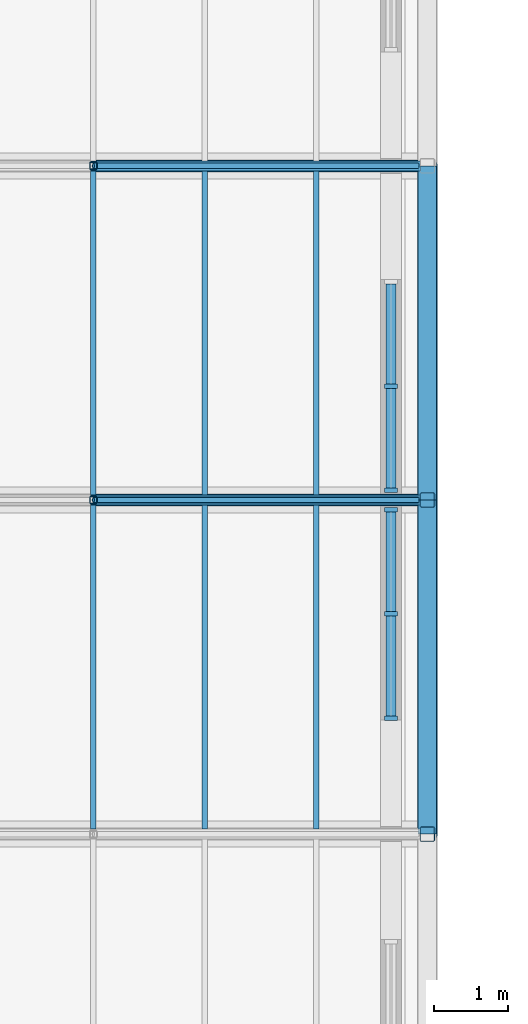
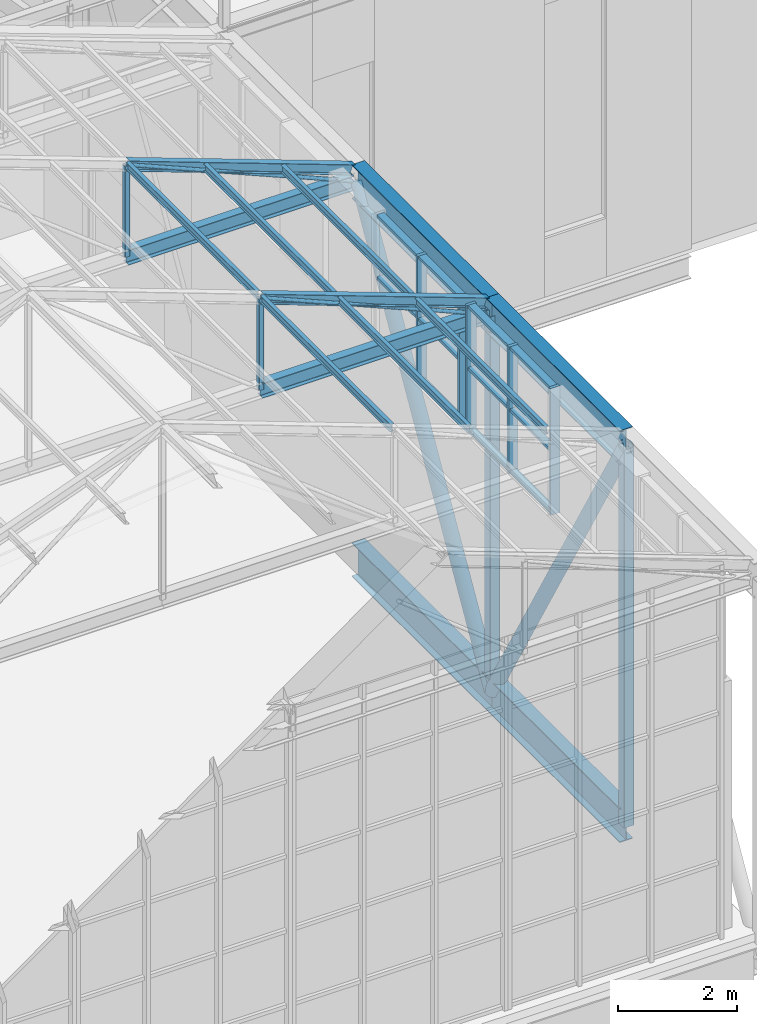
# One storey, part 22 of 90: 39 members, 2 elements without a shape of their own.
"""IFC4 building model written with IfcOpenShell, lengths in metres."""

import ifcopenshell
import ifcopenshell.guid

model = None  # the IFC model being written
_history = None  # IfcOwnerHistory: only IFC2X3 demands one
_inside = {}  # id of a spatial element -> (the spatial element, [elements in it])
_under = {}  # id of a project, library or spatial element -> (it, [spatial elements below it])
_declared = {}  # id of a project -> (the project, [libraries it declares])
_typed = {}  # id of a type object -> (the type object, [elements of that type])
_made_of = {}  # id of a material, layer set ... -> (it, [elements and type objects made of it])


def new_model(schema):
    """Start an empty IFC model of exactly this schema.

    Asked for "IFC4X3", IfcOpenShell would pick the latest addendum, in which some entities
    have other attributes; the version numbers below select the first issue.
    IFC2X3 requires an IfcOwnerHistory on every rooted entity: one is made here for all.
    """
    global model, _history
    if schema == "IFC4X3":
        model = ifcopenshell.file(schema_version=(4, 3, 0, 0))
    else:
        model = ifcopenshell.file(schema=schema)
    _inside.clear()
    _under.clear()
    _declared.clear()
    _typed.clear()
    _made_of.clear()
    _history = None
    if model.schema == "IFC2X3":
        org = make("IfcOrganization", Name="unknown")
        user = make(
            "IfcPersonAndOrganization",
            ThePerson=make("IfcPerson", FamilyName="unknown"),
            TheOrganization=org,
        )
        app = make(
            "IfcApplication",
            ApplicationDeveloper=org,
            Version="unknown",
            ApplicationFullName="unknown",
            ApplicationIdentifier="unknown",
        )
        _history = make(
            "IfcOwnerHistory",
            OwningUser=user,
            OwningApplication=app,
            ChangeAction="ADDED",
            CreationDate=0,
        )
    return model


def make(cls, **values):
    """One entity of the class cls with the attributes given. An attribute that is None is left unset."""
    return model.create_entity(
        cls, **{name: value for name, value in values.items() if value is not None}
    )


def rooted(cls, **values):
    """An entity with a GlobalId (a new one), such as an element, a storey or a relation."""
    return make(cls, GlobalId=ifcopenshell.guid.new(), OwnerHistory=_history, **values)


def si_unit(unit_type, name, prefix=None):
    """IfcSIUnit, for example si_unit("LENGTHUNIT", "METRE", prefix="MILLI")."""
    return make("IfcSIUnit", UnitType=unit_type, Prefix=prefix, Name=name)


def assignment(units):
    """IfcUnitAssignment: the units of a project."""
    return None if units is None else make("IfcUnitAssignment", Units=units)


def point(xyz):
    """IfcCartesianPoint."""
    return None if xyz is None else make("IfcCartesianPoint", Coordinates=xyz)


def direction(xyz):
    """IfcDirection."""
    return None if xyz is None else make("IfcDirection", DirectionRatios=xyz)


def frame(location, z_axis=None, x_axis=None):
    """IfcAxis2Placement3D, a coordinate frame: its origin and axes. An axis left out is left unset."""
    return make(
        "IfcAxis2Placement3D",
        Location=point(location),
        Axis=direction(z_axis),
        RefDirection=direction(x_axis),
    )


def frame_2d(location, x_axis=None):
    """IfcAxis2Placement2D, a coordinate frame in the plane: its origin and x axis."""
    return make(
        "IfcAxis2Placement2D", Location=point(location), RefDirection=direction(x_axis)
    )


def origin():
    """The frame at (0, 0, 0) with its axes left unset."""
    return frame((0.0, 0.0, 0.0))


def origin_2d():
    """The frame at (0, 0) in the plane with its x axis left unset."""
    return frame_2d((0.0, 0.0))


def place(relative_to, where):
    """IfcLocalPlacement: puts the frame where relative to a parent placement (None: the world)."""
    return make(
        "IfcLocalPlacement", PlacementRelTo=relative_to, RelativePlacement=where
    )


def context(
    kind, dimensions, precision=None, world=None, true_north=None, identifier=None
):
    """IfcGeometricRepresentationContext, for example the 3D "Model" context."""
    return make(
        "IfcGeometricRepresentationContext",
        ContextIdentifier=identifier,
        ContextType=kind,
        CoordinateSpaceDimension=dimensions,
        Precision=precision,
        WorldCoordinateSystem=world,
        TrueNorth=true_north,
    )


def subcontext(parent, identifier, kind, view, scale=None):
    """IfcGeometricRepresentationSubContext, for example "Body" below "Model"."""
    return make(
        "IfcGeometricRepresentationSubContext",
        ContextIdentifier=identifier,
        ContextType=kind,
        ParentContext=parent,
        TargetScale=scale,
        TargetView=view,
    )


def project(units=None, contexts=None):
    """IfcProject with its units and contexts."""
    return rooted(
        "IfcProject",
        Name="project",
        RepresentationContexts=contexts,
        UnitsInContext=assignment(units),
    )


def spatial(cls, under=None, at=None, **own):
    """A site, building, storey or space (cls), placed at a placement, below another one or the project."""
    s = rooted(cls, ObjectPlacement=at, **own)
    if under is not None:
        _under.setdefault(under.id(), (under, []))[1].append(s)
    return s


def profile(cls, at=None, kind="AREA", **sizes):
    """A parametric profile (cls). Its sizes go by their IFC names, for example OverallWidth=200.0."""
    return make(cls, ProfileType=kind, Position=at, **sizes)


def rectangle(**sizes):
    """IfcRectangleProfileDef."""
    return profile("IfcRectangleProfileDef", **sizes)


def hollow_rectangle(**sizes):
    """IfcRectangleHollowProfileDef."""
    return profile("IfcRectangleHollowProfileDef", **sizes)


def hollow_circle(**sizes):
    """IfcCircleHollowProfileDef."""
    return profile("IfcCircleHollowProfileDef", **sizes)


def i_section(**sizes):
    """IfcIShapeProfileDef."""
    return profile("IfcIShapeProfileDef", **sizes)


def extrude(swept, where, along, depth):
    """IfcExtrudedAreaSolid: the profile swept, set in the frame where, extruded along a direction by depth."""
    return make(
        "IfcExtrudedAreaSolid",
        SweptArea=swept,
        Position=where,
        ExtrudedDirection=direction(along),
        Depth=depth,
    )


def shape(context_of_items, identifier, shape_type, items):
    """IfcShapeRepresentation: the items that make up one representation, for example the "Body"."""
    return make(
        "IfcShapeRepresentation",
        ContextOfItems=context_of_items,
        RepresentationIdentifier=identifier,
        RepresentationType=shape_type,
        Items=items,
    )


def material(Name=None, Category=None):
    """IfcMaterial."""
    return make("IfcMaterial", Name=Name, Category=Category)


def layer(
    of_material, thickness, ventilated=None, Name=None, Category=None, Priority=None
):
    """IfcMaterialLayer: one layer of a wall or slab, of a material (None: an air gap)."""
    return make(
        "IfcMaterialLayer",
        Material=of_material,
        LayerThickness=thickness,
        IsVentilated=ventilated,
        Name=Name,
        Category=Category,
        Priority=Priority,
    )


def layer_set(layers, Name=None):
    """IfcMaterialLayerSet."""
    return make("IfcMaterialLayerSet", MaterialLayers=layers, LayerSetName=Name)


def material_profile(
    of_material, cross_section, Name=None, Category=None, Priority=None
):
    """IfcMaterialProfile: a cross section and its material."""
    return make(
        "IfcMaterialProfile",
        Name=Name,
        Material=of_material,
        Profile=cross_section,
        Priority=Priority,
        Category=Category,
    )


def profile_set(profiles, Name=None, composite=None):
    """IfcMaterialProfileSet."""
    return make(
        "IfcMaterialProfileSet",
        Name=Name,
        MaterialProfiles=profiles,
        CompositeProfile=composite,
    )


def made_of(thing, what):
    """Note that an element or type object is made of a material, layer set ...; save() writes the relation."""
    if what is not None:
        _made_of.setdefault(what.id(), (what, []))[1].append(thing)
    return thing


def type_object(cls, material=None, **own):
    """A type object (cls), such as IfcWallType, which elements share."""
    return made_of(rooted(cls, **own), material)


def element(
    cls,
    number,
    at=None,
    inside=None,
    cuts=None,
    type_object=None,
    material=None,
    context=None,
    identifier="Body",
    shape_type=None,
    held_by="IfcProductDefinitionShape",
    body=None,
    shapes=None,
    **own,
):
    """One element of the class cls, such as IfcWall. Its Tag is "e" and its number.

    at: its placement. inside: the storey or other place that contains it. cuts: it is an
    opening in that element (IfcRelVoidsElement). A single representation is given by context,
    identifier, shape_type and body (its items); several are given by shapes. held_by: the class
    of the entity that holds the representations. save() writes the other relations.
    """
    e = rooted(cls, Tag="e%d" % number, ObjectPlacement=at, **own)
    if body is not None:
        shapes = [shape(context, identifier, shape_type, body)]
    if shapes is not None:
        e.Representation = make(held_by, Representations=shapes)
    if inside is not None:
        _inside.setdefault(inside.id(), (inside, []))[1].append(e)
    if cuts is not None:
        rooted(
            "IfcRelVoidsElement", RelatingBuildingElement=cuts, RelatedOpeningElement=e
        )
    if type_object is not None:
        _typed.setdefault(type_object.id(), (type_object, []))[1].append(e)
    return made_of(e, material)


def aggregate(whole, parts):
    """IfcRelAggregates: a whole, such as a stair, and the parts it consists of."""
    return rooted("IfcRelAggregates", RelatingObject=whole, RelatedObjects=parts)


def save(model, path):
    """Write the relations noted so far, then the file.

    IfcRelAggregates (storeys below a building ...), IfcRelContainedInSpatialStructure (elements
    in a storey), IfcRelDefinesByType, IfcRelAssociatesMaterial and IfcRelDeclares: one each for
    every whole, place, type object, material and project.
    """
    for whole, parts in _under.values():
        aggregate(whole, parts)
    for where, things in _inside.values():
        rooted(
            "IfcRelContainedInSpatialStructure",
            RelatedElements=things,
            RelatingStructure=where,
        )
    for kind, things in _typed.values():
        rooted("IfcRelDefinesByType", RelatedObjects=things, RelatingType=kind)
    for what, things in _made_of.values():
        rooted("IfcRelAssociatesMaterial", RelatedObjects=things, RelatingMaterial=what)
    for by, libraries in _declared.values():
        rooted("IfcRelDeclares", RelatingContext=by, RelatedDefinitions=libraries)
    model.write(path)


model = new_model("IFC4")

# Units and contexts
model_context = context("Model", 3, precision=1e-05, world=origin(), true_north=direction((0.0, 1.0)))
body_context = subcontext(model_context, "Body", "Model", "MODEL_VIEW")
ifc_project = project(units=[si_unit("LENGTHUNIT", "METRE"), si_unit("AREAUNIT", "SQUARE_METRE"), si_unit("VOLUMEUNIT", "CUBIC_METRE"), si_unit("PLANEANGLEUNIT", "RADIAN"), si_unit("MASSUNIT", "GRAM", prefix="KILO")], contexts=[model_context])

# Site, building, storey
site_placement = place(None, origin())
site = spatial("IfcSite", under=ifc_project, at=site_placement, CompositionType="ELEMENT")
building_placement = place(site_placement, origin())
building = spatial("IfcBuilding", under=site, at=building_placement, Name="Halyard Row Museum", CompositionType="ELEMENT")
storey_placement = place(building_placement, frame((0.0, 0.0, 13.39990234375)))
storey = spatial("IfcBuildingStorey", under=building, at=storey_placement, Name="L03", CompositionType="ELEMENT", Elevation=13.39990234375)

# Curtain wall, members
ifc_material_1 = material(Name="Double glazed unit, low-emissivity", Category="glass")
ifc_layer = layer(ifc_material_1, 0.179931640625)
ifc_layer_set = layer_set([ifc_layer], Name="Double glazed unit, low-emissivity")
curtain_wall_type = type_object("IfcCurtainWallType", Name="Curtain wall stick 180 deep", PredefinedType="NOTDEFINED", material=ifc_layer_set)
curtain_wall_1_placement = place(storey_placement, origin())
curtain_wall_1 = element("IfcCurtainWall", 1, at=curtain_wall_1_placement, inside=storey, type_object=curtain_wall_type, Name="Curtain wall CW072", PredefinedType="NOTDEFINED")
ifc_material_2 = material(Name="Powder-coated aluminium section", Category="aluminium")
ifc_material_profile_1 = material_profile(ifc_material_2, rectangle(XDim=0.179931640625, YDim=0.06005859375, at=origin_2d()), Name="180x60 mullion")
ifc_profile_set_1 = profile_set([ifc_material_profile_1], Name="Powder-coated aluminium section")
member_type_1 = type_object("IfcMemberType", Name="Curtain wall mullion CM2 60 x 180", PredefinedType="MULLION", material=ifc_profile_set_1)
member_1_placement = place(storey_placement, frame((53.510009765625, 6.063232421875, 5.07275390625), z_axis=(0.0, 0.0, 1.0), x_axis=(-1.0, 0.0, 0.0)))
member_1 = element("IfcMember", 2, at=member_1_placement, type_object=member_type_1, Name="CW072 mullion 1", PredefinedType="MULLION", context=body_context, shape_type="SweptSolid", body=[
    extrude(rectangle(XDim=0.179931640625, YDim=0.06005859375, at=origin_2d()), origin(), (0.0, 0.0, 1.0), 2.60009765625),
])
member_2_placement = place(storey_placement, frame((53.510009765625, 7.466552734375, 5.07275390625), z_axis=(0.0, 0.0, 1.0), x_axis=(-1.0, 0.0, 0.0)))
member_2 = element("IfcMember", 3, at=member_2_placement, type_object=member_type_1, Name="CW072 mullion 2", PredefinedType="MULLION", context=body_context, shape_type="SweptSolid", body=[
    extrude(rectangle(XDim=0.179931640625, YDim=0.06005859375, at=origin_2d()), origin(), (0.0, 0.0, 1.0), 2.60009765625),
])
member_3_placement = place(storey_placement, frame((53.510009765625, 8.8701171875, 5.07275390625), z_axis=(0.0, 0.0, 1.0), x_axis=(-1.0, 0.0, 0.0)))
member_3 = element("IfcMember", 4, at=member_3_placement, type_object=member_type_1, Name="CW072 mullion 3", PredefinedType="MULLION", context=body_context, shape_type="SweptSolid", body=[
    extrude(rectangle(XDim=0.179931640625, YDim=0.06005859375, at=origin_2d()), origin(), (0.0, 0.0, 1.0), 2.60009765625),
])

curtain_wall_2_placement = place(storey_placement, origin())
curtain_wall_2 = element("IfcCurtainWall", 5, at=curtain_wall_2_placement, inside=storey, type_object=curtain_wall_type, Name="Curtain wall CW073", PredefinedType="NOTDEFINED")
member_4_placement = place(storey_placement, frame((53.510009765625, 9.1298828125, 5.07275390625), z_axis=(0.0, 0.0, 1.0), x_axis=(-1.0, 0.0, 0.0)))
member_4 = element("IfcMember", 6, at=member_4_placement, type_object=member_type_1, Name="CW073 mullion 1", PredefinedType="MULLION", context=body_context, shape_type="SweptSolid", body=[
    extrude(rectangle(XDim=0.179931640625, YDim=0.06005859375, at=origin_2d()), origin(), (0.0, 0.0, 1.0), 2.60009765625),
])
member_5_placement = place(storey_placement, frame((53.510009765625, 10.533447265625, 5.07275390625), z_axis=(0.0, 0.0, 1.0), x_axis=(-1.0, 0.0, 0.0)))
member_5 = element("IfcMember", 7, at=member_5_placement, type_object=member_type_1, Name="CW073 mullion 2", PredefinedType="MULLION", context=body_context, shape_type="SweptSolid", body=[
    extrude(rectangle(XDim=0.179931640625, YDim=0.06005859375, at=origin_2d()), origin(), (0.0, 0.0, 1.0), 2.60009765625),
])

# Member
ifc_material_3 = material(Name="Powder-coated aluminium section", Category="aluminium")
ifc_material_profile_2 = material_profile(ifc_material_3, rectangle(XDim=0.139892578125, YDim=0.06005859375, at=origin_2d()), Name="140x60 transom")
ifc_profile_set_2 = profile_set([ifc_material_profile_2], Name="Powder-coated aluminium section")
member_type_2 = type_object("IfcMemberType", Name="Curtain wall transom CT2 60 x 140", PredefinedType="USERDEFINED", material=ifc_profile_set_2)
member_6_placement = place(storey_placement, frame((53.510009765625, 6.09326171875, 5.102783203125), z_axis=(0.0, 1.0, 0.0), x_axis=(-1.0, 0.0, 0.0)))
member_6 = element("IfcMember", 8, at=member_6_placement, type_object=member_type_2, Name="CW072 transom 1.1", ObjectType="TRANSOM", PredefinedType="USERDEFINED", context=body_context, shape_type="SweptSolid", body=[
    extrude(rectangle(XDim=0.139892578125, YDim=0.06005859375, at=origin_2d()), origin(), (0.0, 0.0, 1.0), 1.343505859375),
])

member_7_placement = place(storey_placement, frame((53.510009765625, 6.09326171875, 6.372802734375), z_axis=(0.0, 1.0, 0.0), x_axis=(-1.0, 0.0, 0.0)))
member_7 = element("IfcMember", 9, at=member_7_placement, type_object=member_type_2, Name="CW072 transom 1.2", ObjectType="TRANSOM", PredefinedType="USERDEFINED", context=body_context, shape_type="SweptSolid", body=[
    extrude(rectangle(XDim=0.139892578125, YDim=0.06005859375, at=origin_2d()), origin(), (0.0, 0.0, 1.0), 1.343505859375),
])

member_8_placement = place(storey_placement, frame((53.510009765625, 6.09326171875, 7.642822265625), z_axis=(0.0, 1.0, 0.0), x_axis=(-1.0, 0.0, 0.0)))
member_8 = element("IfcMember", 10, at=member_8_placement, type_object=member_type_2, Name="CW072 transom 1.3", ObjectType="TRANSOM", PredefinedType="USERDEFINED", context=body_context, shape_type="SweptSolid", body=[
    extrude(rectangle(XDim=0.139892578125, YDim=0.06005859375, at=origin_2d()), origin(), (0.0, 0.0, 1.0), 1.343505859375),
])

member_9_placement = place(storey_placement, frame((53.510009765625, 7.49658203125, 5.102783203125), z_axis=(0.0, 1.0, 0.0), x_axis=(-1.0, 0.0, 0.0)))
member_9 = element("IfcMember", 11, at=member_9_placement, type_object=member_type_2, Name="CW072 transom 2.1", ObjectType="TRANSOM", PredefinedType="USERDEFINED", context=body_context, shape_type="SweptSolid", body=[
    extrude(rectangle(XDim=0.139892578125, YDim=0.06005859375, at=origin_2d()), origin(), (0.0, 0.0, 1.0), 1.343505859375),
])

member_10_placement = place(storey_placement, frame((53.510009765625, 7.49658203125, 6.372802734375), z_axis=(0.0, 1.0, 0.0), x_axis=(-1.0, 0.0, 0.0)))
member_10 = element("IfcMember", 12, at=member_10_placement, type_object=member_type_2, Name="CW072 transom 2.2", ObjectType="TRANSOM", PredefinedType="USERDEFINED", context=body_context, shape_type="SweptSolid", body=[
    extrude(rectangle(XDim=0.139892578125, YDim=0.06005859375, at=origin_2d()), origin(), (0.0, 0.0, 1.0), 1.343505859375),
])

member_11_placement = place(storey_placement, frame((53.510009765625, 7.49658203125, 7.642822265625), z_axis=(0.0, 1.0, 0.0), x_axis=(-1.0, 0.0, 0.0)))
member_11 = element("IfcMember", 13, at=member_11_placement, type_object=member_type_2, Name="CW072 transom 2.3", ObjectType="TRANSOM", PredefinedType="USERDEFINED", context=body_context, shape_type="SweptSolid", body=[
    extrude(rectangle(XDim=0.139892578125, YDim=0.06005859375, at=origin_2d()), origin(), (0.0, 0.0, 1.0), 1.343505859375),
])

aggregate(curtain_wall_1, [member_1, member_2, member_3, member_6, member_7, member_8, member_9, member_10, member_11])

member_12_placement = place(storey_placement, frame((53.510009765625, 9.159912109375, 5.102783203125), z_axis=(0.0, 1.0, 0.0), x_axis=(-1.0, 0.0, 0.0)))
member_12 = element("IfcMember", 14, at=member_12_placement, type_object=member_type_2, Name="CW073 transom 1.1", ObjectType="TRANSOM", PredefinedType="USERDEFINED", context=body_context, shape_type="SweptSolid", body=[
    extrude(rectangle(XDim=0.139892578125, YDim=0.06005859375, at=origin_2d()), origin(), (0.0, 0.0, 1.0), 1.343505859375),
])

member_13_placement = place(storey_placement, frame((53.510009765625, 9.159912109375, 6.372802734375), z_axis=(0.0, 1.0, 0.0), x_axis=(-1.0, 0.0, 0.0)))
member_13 = element("IfcMember", 15, at=member_13_placement, type_object=member_type_2, Name="CW073 transom 1.2", ObjectType="TRANSOM", PredefinedType="USERDEFINED", context=body_context, shape_type="SweptSolid", body=[
    extrude(rectangle(XDim=0.139892578125, YDim=0.06005859375, at=origin_2d()), origin(), (0.0, 0.0, 1.0), 1.343505859375),
])

member_14_placement = place(storey_placement, frame((53.510009765625, 9.159912109375, 7.642822265625), z_axis=(0.0, 1.0, 0.0), x_axis=(-1.0, 0.0, 0.0)))
member_14 = element("IfcMember", 16, at=member_14_placement, type_object=member_type_2, Name="CW073 transom 1.3", ObjectType="TRANSOM", PredefinedType="USERDEFINED", context=body_context, shape_type="SweptSolid", body=[
    extrude(rectangle(XDim=0.139892578125, YDim=0.06005859375, at=origin_2d()), origin(), (0.0, 0.0, 1.0), 1.343505859375),
])

member_15_placement = place(storey_placement, frame((53.510009765625, 10.563232421875, 5.102783203125), z_axis=(0.0, 1.0, 0.0), x_axis=(-1.0, 0.0, 0.0)))
member_15 = element("IfcMember", 17, at=member_15_placement, type_object=member_type_2, Name="CW073 transom 2.1", ObjectType="TRANSOM", PredefinedType="USERDEFINED", context=body_context, shape_type="SweptSolid", body=[
    extrude(rectangle(XDim=0.139892578125, YDim=0.06005859375, at=origin_2d()), origin(), (0.0, 0.0, 1.0), 1.343505859375),
])

member_16_placement = place(storey_placement, frame((53.510009765625, 10.563232421875, 6.372802734375), z_axis=(0.0, 1.0, 0.0), x_axis=(-1.0, 0.0, 0.0)))
member_16 = element("IfcMember", 18, at=member_16_placement, type_object=member_type_2, Name="CW073 transom 2.2", ObjectType="TRANSOM", PredefinedType="USERDEFINED", context=body_context, shape_type="SweptSolid", body=[
    extrude(rectangle(XDim=0.139892578125, YDim=0.06005859375, at=origin_2d()), origin(), (0.0, 0.0, 1.0), 1.343505859375),
])

member_17_placement = place(storey_placement, frame((53.510009765625, 10.563232421875, 7.642822265625), z_axis=(0.0, 1.0, 0.0), x_axis=(-1.0, 0.0, 0.0)))
member_17 = element("IfcMember", 19, at=member_17_placement, type_object=member_type_2, Name="CW073 transom 2.3", ObjectType="TRANSOM", PredefinedType="USERDEFINED", context=body_context, shape_type="SweptSolid", body=[
    extrude(rectangle(XDim=0.139892578125, YDim=0.06005859375, at=origin_2d()), origin(), (0.0, 0.0, 1.0), 1.343505859375),
])

aggregate(curtain_wall_2, [member_4, member_5, member_12, member_13, member_14, member_15, member_16, member_17])

# Members
ifc_material_4 = material(Name="Steel Grade 300", Category="steel")
ifc_material_profile_3 = material_profile(ifc_material_4, i_section(OverallWidth=0.074951171875, OverallDepth=0.155029296875, WebThickness=0.006103515625, FlangeThickness=0.009521484375, FilletRadius=0.008056640625, at=origin_2d()), Name="150UB18.0")
ifc_profile_set_3 = profile_set([ifc_material_profile_3], Name="Steel Grade 300")
member_type_3 = type_object("IfcMemberType", Name="Purlin 150UB18.0", PredefinedType="PURLIN", material=ifc_profile_set_3)
for number, where, z_axis, x_axis, name in (
    (20, (49.5, 4.56640625, 9.133544921875), (0.0, 1.0, 0.0), (-1.0, 0.0, 0.0), "V4 purlin PR3.2"),
    (21, (49.5, 9.06640625, 9.133544921875), (0.0, 1.0, 0.0), (-1.0, 0.0, 0.0), "V4 purlin PR3.3"),
    (22, (51.0, 4.56640625, 8.581787109375), (0.0, 1.0, 0.0), (-1.0, 0.0, 0.0), "V4 purlin PR2.2"),
    (23, (51.0, 9.06640625, 8.581787109375), (0.0, 1.0, 0.0), (-1.0, 0.0, 0.0), "V4 purlin PR2.3"),
    (24, (52.5, 4.56640625, 8.0302734375), (0.0, 1.0, 0.0), (-1.0, 0.0, 0.0), "V4 purlin PR1.2"),
    (25, (52.5, 9.06640625, 8.0302734375), (0.0, 1.0, 0.0), (-1.0, 0.0, 0.0), "V4 purlin PR1.3"),
):
    element("IfcMember", number, at=place(storey_placement, frame(where, z_axis=z_axis, x_axis=x_axis)), inside=storey, type_object=member_type_3, Name=name, PredefinedType="PURLIN", context=body_context, shape_type="SweptSolid", body=[
        extrude(i_section(OverallWidth=0.074951171875, OverallDepth=0.155029296875, WebThickness=0.006103515625, FlangeThickness=0.009521484375, FilletRadius=0.008056640625, at=origin_2d()), origin(), (0.0, 0.0, 1.0), 4.3671875),
    ])
ifc_material_5 = material(Name="Steel Grade C250L0", Category="steel")
ifc_material_profile_4 = material_profile(ifc_material_5, hollow_circle(Radius=0.0380859375, WallThickness=0.00439453125, at=origin_2d()), Name="76.1x4.5CHS")
ifc_profile_set_4 = profile_set([ifc_material_profile_4], Name="Steel Grade C250L0")
member_type_4 = type_object("IfcMemberType", Name="Roof truss diagonal 76.1x4.5CHS", PredefinedType="BRACE", material=ifc_profile_set_4)
for number, where, z_axis, x_axis, name in (
    (26, (53.875, 9.0, 7.2490234375), (-0.91964597722, 0.0, 0.392748362928), (0.0, -1.0, 0.0), "V4RT3 diagonal 4"),
    (27, (53.875, 13.5, 7.2490234375), (-0.91964597722, 0.0, 0.392748362928), (0.0, -1.0, 0.0), "V4RT4 diagonal 4"),
):
    element("IfcMember", number, at=place(storey_placement, frame(where, z_axis=z_axis, x_axis=x_axis)), inside=storey, type_object=member_type_4, Name=name, PredefinedType="BRACE", context=body_context, shape_type="SweptSolid", body=[
        extrude(hollow_circle(Radius=0.0380859375, WallThickness=0.00439453125, at=origin_2d()), origin(), (0.0, 0.0, 1.0), 4.75732421875),
    ])
ifc_material_6 = material(Name="Steel Grade C350L0", Category="steel")
ifc_material_profile_5 = material_profile(ifc_material_6, hollow_rectangle(XDim=0.10009765625, YDim=0.10009765625, WallThickness=0.006103515625, InnerFilletRadius=0.009033203125, OuterFilletRadius=0.014892578125, at=origin_2d()), Name="100x100x6.0SHS")
ifc_profile_set_5 = profile_set([ifc_material_profile_5], Name="Steel Grade C350L0")
member_type_5 = type_object("IfcMemberType", Name="Roof truss post 100x100x6.0SHS", PredefinedType="POST", material=ifc_profile_set_5)
for number, where, z_axis, x_axis, name in (
    (28, (49.5, 9.0, 7.2490234375), (0.0, 0.0, 1.0), (1.0, 0.0, 0.0), "V4RT3 post 3"),
    (29, (49.5, 13.5, 7.2490234375), (0.0, 0.0, 1.0), (1.0, 0.0, 0.0), "V4RT4 post 3"),
):
    element("IfcMember", number, at=place(storey_placement, frame(where, z_axis=z_axis, x_axis=x_axis)), inside=storey, type_object=member_type_5, Name=name, PredefinedType="POST", context=body_context, shape_type="SweptSolid", body=[
        extrude(hollow_rectangle(XDim=0.10009765625, YDim=0.10009765625, WallThickness=0.006103515625, InnerFilletRadius=0.009033203125, OuterFilletRadius=0.014892578125, at=origin_2d()), origin(), (0.0, 0.0, 1.0), 1.868408203125),
    ])
ifc_material_7 = material(Name="Steel Grade 300", Category="steel")
ifc_material_profile_6 = material_profile(ifc_material_7, i_section(OverallWidth=0.133056640625, OverallDepth=0.20166015625, WebThickness=0.0048828125, FlangeThickness=0.007080078125, FilletRadius=0.0087890625, at=origin_2d()), Name="200UB22.3")
ifc_profile_set_6 = profile_set([ifc_material_profile_6], Name="Steel Grade 300")
member_type_6 = type_object("IfcMemberType", Name="Roof truss rafter 200UB22.3 rafter", PredefinedType="RAFTER", material=ifc_profile_set_6)
for number, where, z_axis, x_axis, name in (
    (30, (49.5, 9.0, 9.117431640625), (0.938531649117, 0.0, -0.345193197507), (0.0, 1.0, 0.0), "V4RT3 rafter 4"),
    (31, (49.5, 13.5, 9.117431640625), (0.938531649117, 0.0, -0.345193197507), (0.0, 1.0, 0.0), "V4RT4 rafter 4"),
):
    element("IfcMember", number, at=place(storey_placement, frame(where, z_axis=z_axis, x_axis=x_axis)), inside=storey, type_object=member_type_6, Name=name, PredefinedType="RAFTER", context=body_context, shape_type="SweptSolid", body=[
        extrude(i_section(OverallWidth=0.133056640625, OverallDepth=0.20166015625, WebThickness=0.0048828125, FlangeThickness=0.007080078125, FilletRadius=0.0087890625, at=origin_2d()), origin(), (0.0, 0.0, 1.0), 4.66162109375),
    ])
ifc_material_8 = material(Name="Steel Grade 300", Category="steel")
ifc_material_profile_7 = material_profile(ifc_material_8, i_section(OverallWidth=0.1650390625, OverallDepth=0.303955078125, WebThickness=0.006103515625, FlangeThickness=0.01025390625, FilletRadius=0.011474609375, at=origin_2d()), Name="310UB40.4")
ifc_profile_set_7 = profile_set([ifc_material_profile_7], Name="Steel Grade 300")
member_type_7 = type_object("IfcMemberType", Name="Roof truss tie 310UB40.4 tie", PredefinedType="CHORD", material=ifc_profile_set_7)
for number, where, z_axis, x_axis, name in (
    (32, (49.5, 9.0, 7.2490234375), (1.0, 0.0, 0.0), (0.0, 1.0, 0.0), "V4RT3 tie 4"),
    (33, (49.5, 13.5, 7.2490234375), (1.0, 0.0, 0.0), (0.0, 1.0, 0.0), "V4RT4 tie 4"),
):
    element("IfcMember", number, at=place(storey_placement, frame(where, z_axis=z_axis, x_axis=x_axis)), inside=storey, type_object=member_type_7, Name=name, PredefinedType="CHORD", context=body_context, shape_type="SweptSolid", body=[
        extrude(i_section(OverallWidth=0.1650390625, OverallDepth=0.303955078125, WebThickness=0.006103515625, FlangeThickness=0.01025390625, FilletRadius=0.011474609375, at=origin_2d()), origin(), (0.0, 0.0, 1.0), 4.375),
    ])
ifc_material_9 = material(Name="Steel Grade 300", Category="steel")
ifc_material_profile_8 = material_profile(ifc_material_9, i_section(OverallWidth=0.25, OverallDepth=0.699951171875, WebThickness=0.010009765625, FlangeThickness=0.02001953125, at=origin_2d()), Name="700WB130")
ifc_profile_set_8 = profile_set([ifc_material_profile_8], Name="Steel Grade 300")
member_type_8 = type_object("IfcMemberType", Name="Transfer truss chord 700WB130 bottom", PredefinedType="CHORD", material=ifc_profile_set_8)
for number, where, z_axis, x_axis, name in (
    (34, (54.0, 4.5, -0.514892578125), (0.0, 1.0, 0.0), (-1.0, 0.0, 0.0), "TT2 bottom chord 2"),
    (35, (54.0, 9.0, -0.514892578125), (0.0, 1.0, 0.0), (-1.0, 0.0, 0.0), "TT2 bottom chord 3"),
):
    element("IfcMember", number, at=place(storey_placement, frame(where, z_axis=z_axis, x_axis=x_axis)), inside=storey, type_object=member_type_8, Name=name, PredefinedType="CHORD", context=body_context, shape_type="SweptSolid", body=[
        extrude(i_section(OverallWidth=0.25, OverallDepth=0.699951171875, WebThickness=0.010009765625, FlangeThickness=0.02001953125, at=origin_2d()), origin(), (0.0, 0.0, 1.0), 4.5),
    ])
ifc_material_10 = material(Name="Steel Grade 300", Category="steel")
ifc_material_profile_9 = material_profile(ifc_material_10, i_section(OverallWidth=0.25, OverallDepth=0.699951171875, WebThickness=0.010009765625, FlangeThickness=0.02001953125, at=origin_2d()), Name="700WB130")
ifc_profile_set_9 = profile_set([ifc_material_profile_9], Name="Steel Grade 300")
member_type_9 = type_object("IfcMemberType", Name="Transfer truss chord 700WB130 top", PredefinedType="CHORD", material=ifc_profile_set_9)
for number, where, z_axis, x_axis, name in (
    (36, (54.0, 4.5, 7.22998046875), (0.0, 1.0, 0.0), (-1.0, 0.0, 0.0), "TT2 top chord 2"),
    (37, (54.0, 9.0, 7.22998046875), (0.0, 1.0, 0.0), (-1.0, 0.0, 0.0), "TT2 top chord 3"),
):
    element("IfcMember", number, at=place(storey_placement, frame(where, z_axis=z_axis, x_axis=x_axis)), inside=storey, type_object=member_type_9, Name=name, PredefinedType="CHORD", context=body_context, shape_type="SweptSolid", body=[
        extrude(i_section(OverallWidth=0.25, OverallDepth=0.699951171875, WebThickness=0.010009765625, FlangeThickness=0.02001953125, at=origin_2d()), origin(), (0.0, 0.0, 1.0), 4.5),
    ])
ifc_material_11 = material(Name="Steel Grade C350L0", Category="steel")
ifc_material_profile_10 = material_profile(ifc_material_11, hollow_circle(Radius=0.136474609375, WallThickness=0.00927734375, at=origin_2d()), Name="273.1x9.3CHS")
ifc_profile_set_10 = profile_set([ifc_material_profile_10], Name="Steel Grade C350L0")
member_type_10 = type_object("IfcMemberType", Name="Transfer truss diagonal 273.1x9.3CHS", PredefinedType="BRACE", material=ifc_profile_set_10)
for number, where, z_axis, x_axis, name in (
    (38, (54.0, 4.5, 7.22998046875), (0.0, 0.502384046634, -0.864644591545), (-1.0, 0.0, 0.0), "TT2 diagonal 2"),
    (39, (54.0, 9.0, -0.514892578125), (0.0, 0.502384046634, 0.864644591545), (-1.0, 0.0, 0.0), "TT2 diagonal 3"),
):
    element("IfcMember", number, at=place(storey_placement, frame(where, z_axis=z_axis, x_axis=x_axis)), inside=storey, type_object=member_type_10, Name=name, PredefinedType="BRACE", context=body_context, shape_type="SweptSolid", body=[
        extrude(hollow_circle(Radius=0.136474609375, WallThickness=0.00927734375, at=origin_2d()), origin(), (0.0, 0.0, 1.0), 8.957275390625),
    ])
ifc_material_12 = material(Name="Steel Grade C350L0", Category="steel")
ifc_material_profile_11 = material_profile(ifc_material_12, hollow_rectangle(XDim=0.199951171875, YDim=0.199951171875, WallThickness=0.009033203125, InnerFilletRadius=0.013427734375, OuterFilletRadius=0.0224609375, at=origin_2d()), Name="200x200x9.0SHS")
ifc_profile_set_11 = profile_set([ifc_material_profile_11], Name="Steel Grade C350L0")
member_type_11 = type_object("IfcMemberType", Name="Transfer truss post 200x200x9.0SHS", PredefinedType="POST", material=ifc_profile_set_11)
for number, where, z_axis, x_axis, name in (
    (40, (54.0, 4.5, -0.514892578125), (0.0, 0.0, 1.0), (1.0, 0.0, 0.0), "TT2 post 2"),
    (41, (54.0, 9.0, -0.514892578125), (0.0, 0.0, 1.0), (1.0, 0.0, 0.0), "TT2 post 3"),
):
    element("IfcMember", number, at=place(storey_placement, frame(where, z_axis=z_axis, x_axis=x_axis)), inside=storey, type_object=member_type_11, Name=name, PredefinedType="POST", context=body_context, shape_type="SweptSolid", body=[
        extrude(hollow_rectangle(XDim=0.199951171875, YDim=0.199951171875, WallThickness=0.009033203125, InnerFilletRadius=0.013427734375, OuterFilletRadius=0.0224609375, at=origin_2d()), origin(), (0.0, 0.0, 1.0), 7.744873046875),
    ])

save(model, "model.ifc")
